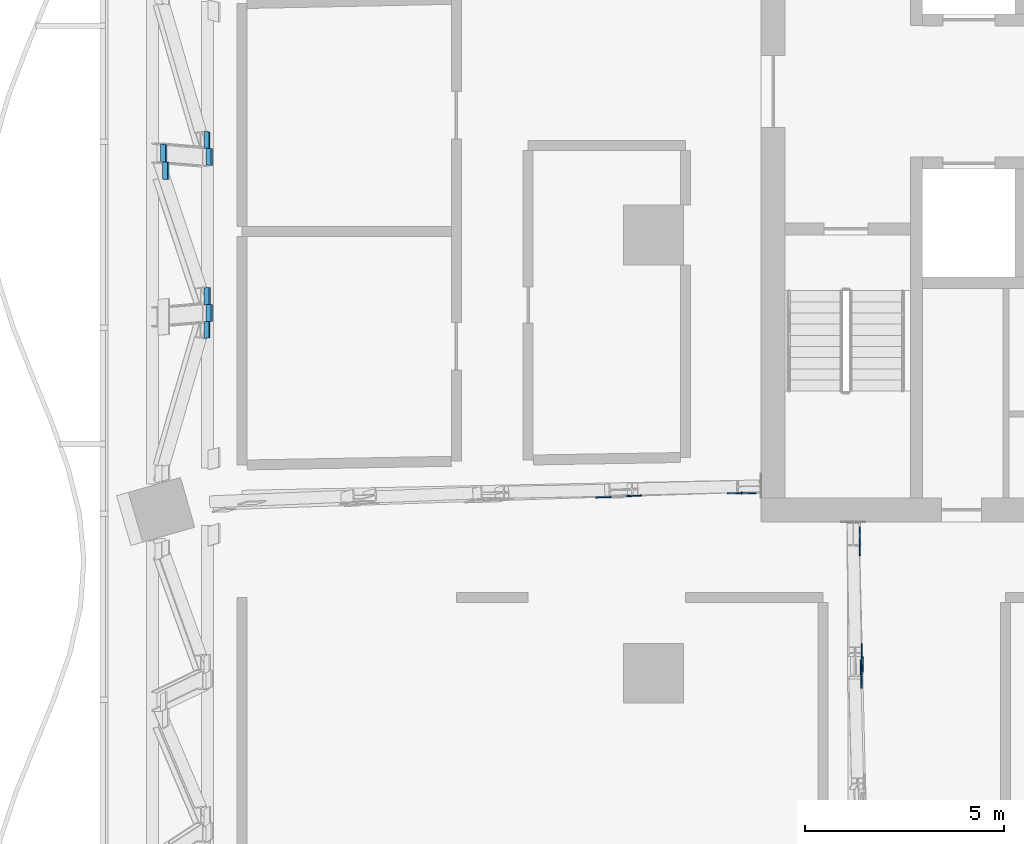
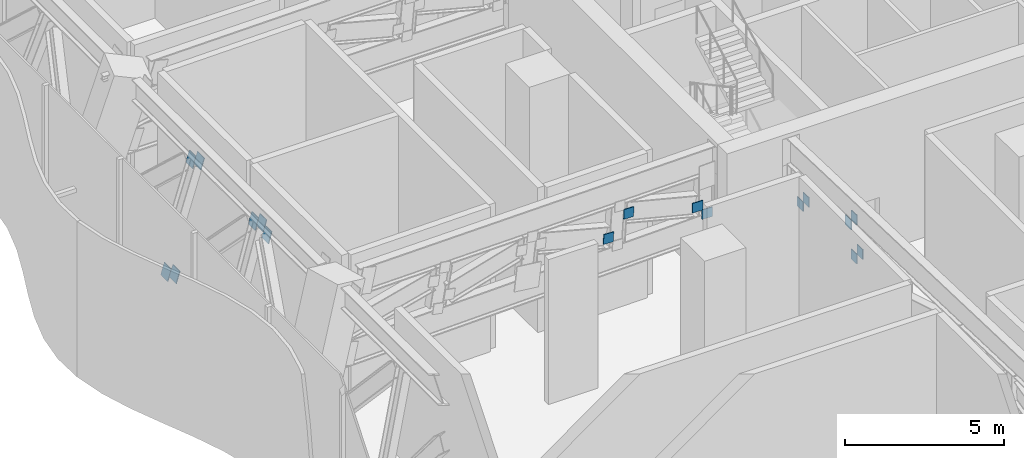
# One storey, part 20 of 32: 17 discrete accessories.
"""IFC4 building model written with IfcOpenShell, lengths in metres."""

from ifc_helpers import new_model, si_unit, direction, frame, origin, origin_2d, place, context, subcontext, project, spatial, rectangle, extrude, material, layer, layer_set, type_object, element, save


model = new_model("IFC4")

# Units and contexts
model_context = context("Model", 3, precision=1e-05, world=origin(), true_north=direction((0.0, 1.0)))
body_context = subcontext(model_context, "Body", "Model", "MODEL_VIEW")
ifc_project = project(units=[si_unit("LENGTHUNIT", "METRE"), si_unit("AREAUNIT", "SQUARE_METRE"), si_unit("VOLUMEUNIT", "CUBIC_METRE"), si_unit("PLANEANGLEUNIT", "RADIAN"), si_unit("MASSUNIT", "GRAM", prefix="KILO")], contexts=[model_context])

# Site, building, storey
site_placement = place(None, origin())
site = spatial("IfcSite", under=ifc_project, at=site_placement, CompositionType="ELEMENT")
building_placement = place(site_placement, origin())
building = spatial("IfcBuilding", under=site, at=building_placement, Name="Mopane Tessera Tower", CompositionType="ELEMENT")
storey_placement = place(building_placement, frame((0.0, 0.0, 88.60009765625)))
storey = spatial("IfcBuildingStorey", under=building, at=storey_placement, Name="L17", CompositionType="ELEMENT", Elevation=88.60009765625)

# Discrete accessories
ifc_material = material(Name="Structural steel S460", Category="steel")
ifc_layer = layer(ifc_material, 0.030029296875)
ifc_layer_set = layer_set([ifc_layer], Name="Structural steel S460")
discrete_accessory_type = type_object("IfcDiscreteAccessoryType", Name="Truss node plate 30 mm", PredefinedType="BRACKET", material=ifc_layer_set)
for number, where, z_axis, x_axis, name in (
    (1, (-14.712890625, -6.475830078125, 2.924560546875), (0.00665763616, 0.001331527232, 0.999976951192), (-0.047896482938, -0.99885094384, 0.001648912595), "Truss node plate s ot L17 W2 0"),
    (2, (-15.06689453125, -6.485595703125, 3.30126953125), (0.013979914419, 0.003328551052, 0.999896736039), (-0.011529728368, -0.999927440507, 0.003489854526), "Truss node plate s ot L17 W2 2"),
):
    element("IfcDiscreteAccessory", number, at=place(storey_placement, frame(where, z_axis=z_axis, x_axis=x_axis)), inside=storey, type_object=discrete_accessory_type, Name=name, PredefinedType="BRACKET", context=body_context, shape_type="SweptSolid", body=[
        extrude(rectangle(XDim=0.030029296875, YDim=0.36669921875, at=origin_2d()), origin(), (0.0, 0.0, 1.0), 0.36669921875),
    ])
discrete_accessory_1_placement = place(storey_placement, frame((-17.60693359375, -6.549072265625, 3.98193359375), z_axis=(0.065757205028, 0.019262211574, 0.99764971668), x_axis=(0.040721898661, -0.99903253507, 0.016604843908)))
element("IfcDiscreteAccessory", 3, at=discrete_accessory_1_placement, inside=storey, type_object=discrete_accessory_type, Name="Truss node plate s ot L17 W2 3", PredefinedType="BRACKET", context=body_context, shape_type="SweptSolid", body=[
    extrude(rectangle(XDim=0.030029296875, YDim=0.36669921875, at=origin_2d()), origin(), (0.0, 0.0, 1.0), 0.36767578125),
])
discrete_accessory_2_placement = place(storey_placement, frame((-18.364501953125, -6.582763671875, 3.30126953125), z_axis=(0.080277461684, 0.02322075338, 0.996502045035), x_axis=(0.037870559614, -0.999077859714, 0.020229951649)))
element("IfcDiscreteAccessory", 4, at=discrete_accessory_2_placement, inside=storey, type_object=discrete_accessory_type, Name="Truss node plate s ot L17 W2 6", PredefinedType="BRACKET", context=body_context, shape_type="SweptSolid", body=[
    extrude(rectangle(XDim=0.030029296875, YDim=0.36669921875, at=origin_2d()), origin(), (0.0, 0.0, 1.0), 0.367919921875),
])
discrete_accessory_3_placement = place(storey_placement, frame((-11.925537109375, -7.513671875, 2.924560546875), z_axis=(0.002663077482, 0.004660385593, 0.999985594308), x_axis=(0.999912230906, 0.012965881082, -0.002723308982)))
element("IfcDiscreteAccessory", 5, at=discrete_accessory_3_placement, inside=storey, type_object=discrete_accessory_type, Name="Truss node plate s ot L17 S1 0", PredefinedType="BRACKET", context=body_context, shape_type="SweptSolid", body=[
    extrude(rectangle(XDim=0.030029296875, YDim=0.366943359375, at=origin_2d()), origin(), (0.0, 0.0, 1.0), 0.36669921875),
])
discrete_accessory_4_placement = place(storey_placement, frame((-11.921142578125, -7.869384765625, 3.30126953125), z_axis=(0.005322381677, 0.009314167935, 0.999942457609), x_axis=(0.999901631109, 0.01292696717, -0.005442575242)))
element("IfcDiscreteAccessory", 6, at=discrete_accessory_4_placement, inside=storey, type_object=discrete_accessory_type, Name="Truss node plate s ot L17 S1 2", PredefinedType="BRACKET", context=body_context, shape_type="SweptSolid", body=[
    extrude(rectangle(XDim=0.030029296875, YDim=0.366943359375, at=origin_2d()), origin(), (0.0, 0.0, 1.0), 0.366943359375),
])
for number, where, z_axis, x_axis, name in (
    (7, (-11.87744140625, -10.453125, 3.9814453125), (0.026576049185, 0.045843684845, 0.99859504814), (0.999623976209, 0.005530774028, -0.02685734029), "Truss node plate s ot L17 S1 3"),
    (8, (-11.9033203125, -10.860595703125, 2.924560546875), (0.02990838802, 0.050511944211, 0.998275529009), (0.999549609781, -0.003972263764, -0.029745566174), "Truss node plate s ot L17 S1 4"),
):
    element("IfcDiscreteAccessory", number, at=place(storey_placement, frame(where, z_axis=z_axis, x_axis=x_axis)), inside=storey, type_object=discrete_accessory_type, Name=name, PredefinedType="BRACKET", context=body_context, shape_type="SweptSolid", body=[
        extrude(rectangle(XDim=0.030029296875, YDim=0.366943359375, at=origin_2d()), origin(), (0.0, 0.0, 1.0), 0.367431640625),
    ])
for number, where, z_axis, x_axis, name in (
    (9, (-11.86083984375, -10.7880859375, 4.3583984375), (0.029224940955, 0.050479443468, 0.998297414909), (0.999546104273, 0.005831506387, -0.02955636931), "Truss node plate s ot L17 S1 5"),
    (10, (-11.888671875, -11.198974609375, 3.30126953125), (0.032534634291, 0.055109686657, 0.997950108977), (0.99946990758, -0.002976559996, -0.032419807712), "Truss node plate s ot L17 S1 6"),
):
    element("IfcDiscreteAccessory", number, at=place(storey_placement, frame(where, z_axis=z_axis, x_axis=x_axis)), inside=storey, type_object=discrete_accessory_type, Name=name, PredefinedType="BRACKET", context=body_context, shape_type="SweptSolid", body=[
        extrude(rectangle(XDim=0.030029296875, YDim=0.366943359375, at=origin_2d()), origin(), (0.0, 0.0, 1.0), 0.36767578125),
    ])
discrete_accessory_5_placement = place(storey_placement, frame((-28.3671875, 2.385498046875, 4.34130859375), z_axis=(0.27984279156, -0.02864532512, 0.959618391529), x_axis=(0.960045788672, 0.008671824644, -0.279708568177)))
element("IfcDiscreteAccessory", 11, at=discrete_accessory_5_placement, inside=storey, type_object=discrete_accessory_type, Name="Truss node plate s bt L17 W1-W2 3", PredefinedType="BRACKET", context=body_context, shape_type="SweptSolid", body=[
    extrude(rectangle(XDim=0.030029296875, YDim=0.42529296875, at=origin_2d()), origin(), (0.0, 0.0, 1.0), 0.443115234375),
])
discrete_accessory_6_placement = place(storey_placement, frame((-29.459716796875, 2.0634765625, 0.59619140625), z_axis=(0.280393163444, -0.024218219491, 0.959579674513), x_axis=(0.959883984143, 0.005457327288, -0.280344349978)))
element("IfcDiscreteAccessory", 12, at=discrete_accessory_6_placement, inside=storey, type_object=discrete_accessory_type, Name="Truss node plate s bt L17 W1-W2 4", PredefinedType="BRACKET", context=body_context, shape_type="SweptSolid", body=[
    extrude(rectangle(XDim=0.030029296875, YDim=0.435302734375, at=origin_2d()), origin(), (0.0, 0.0, 1.0), 0.45361328125),
])
discrete_accessory_7_placement = place(storey_placement, frame((-28.314208984375, 1.96630859375, 4.523193359375), z_axis=(0.27987910234, -0.023690553938, 0.959742906057), x_axis=(0.960035237562, 0.007088996716, -0.279789364996)))
element("IfcDiscreteAccessory", 13, at=discrete_accessory_7_placement, inside=storey, type_object=discrete_accessory_type, Name="Truss node plate s bt L17 W1-W2 5", PredefinedType="BRACKET", context=body_context, shape_type="SweptSolid", body=[
    extrude(rectangle(XDim=0.030029296875, YDim=0.42529296875, at=origin_2d()), origin(), (0.0, 0.0, 1.0), 0.443115234375),
])
for number, where, z_axis, x_axis, name in (
    (14, (-29.40966796875, 1.61572265625, 0.767578125), (0.279929623938, -0.018841416996, 0.959835614388), (0.960020231529, 0.004714082816, -0.279890929611), "Truss node plate s bt L17 W1-W2 6"),
    (15, (-28.36572265625, -1.546142578125, 4.346923828125), (0.279932422697, 0.018303273792, 0.959845210902), (0.960018999193, -0.006551549645, -0.279858175486), "Truss node plate s bt L17 W1-W2 7"),
):
    element("IfcDiscreteAccessory", number, at=place(storey_placement, frame(where, z_axis=z_axis, x_axis=x_axis)), inside=storey, type_object=discrete_accessory_type, Name=name, PredefinedType="BRACKET", context=body_context, shape_type="SweptSolid", body=[
        extrude(rectangle(XDim=0.030029296875, YDim=0.435302734375, at=origin_2d()), origin(), (0.0, 0.0, 1.0), 0.45361328125),
    ])
for number, where, z_axis, x_axis, name in (
    (16, (-28.314208984375, -1.96630859375, 4.523193359375), (0.27987910234, 0.023690553938, 0.959742906057), (0.960035237562, -0.007088996716, -0.279789364996), "Truss node plate s bt L17 W1-W2 9"),
    (17, (-28.3671875, -2.385498046875, 4.34130859375), (0.27984279156, 0.02864532512, 0.959618391529), (0.960045788672, -0.008671824644, -0.279708568177), "Truss node plate s bt L17 W1-W2 10"),
):
    element("IfcDiscreteAccessory", number, at=place(storey_placement, frame(where, z_axis=z_axis, x_axis=x_axis)), inside=storey, type_object=discrete_accessory_type, Name=name, PredefinedType="BRACKET", context=body_context, shape_type="SweptSolid", body=[
        extrude(rectangle(XDim=0.030029296875, YDim=0.42529296875, at=origin_2d()), origin(), (0.0, 0.0, 1.0), 0.443115234375),
    ])

save(model, "model.ifc")
